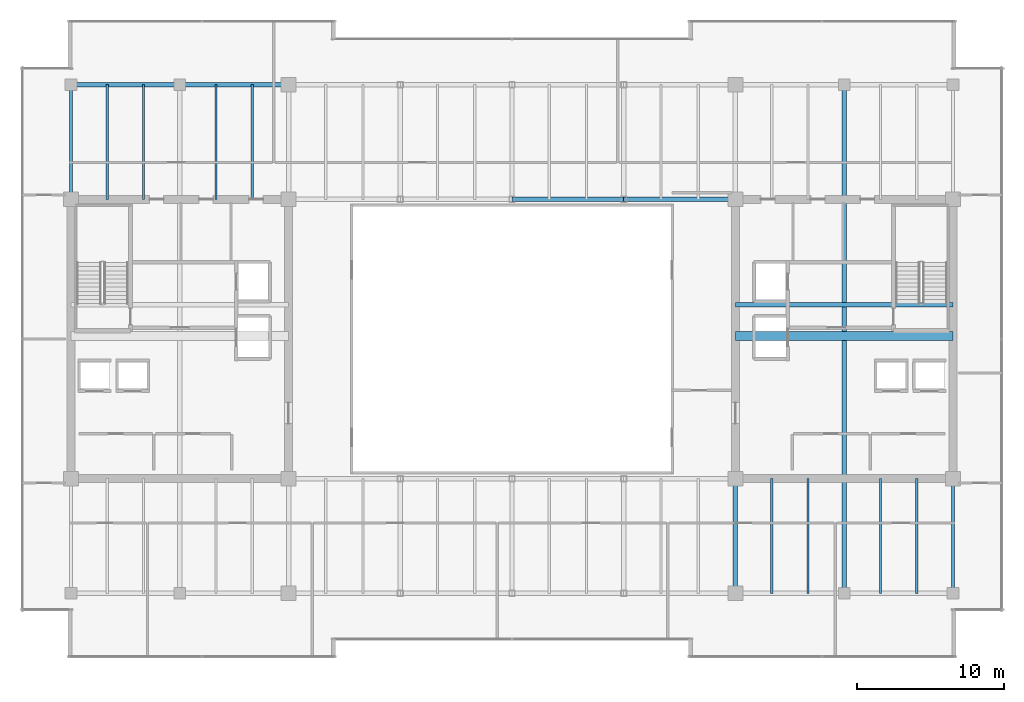
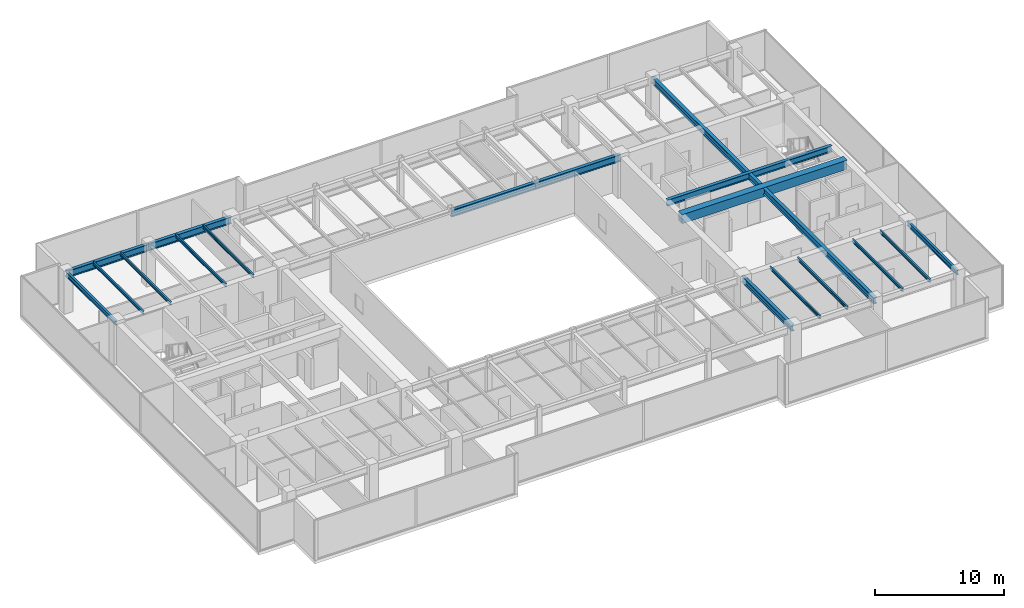
# One storey, part 14 of 33: 18 beams.
"""IFC4 building model written with IfcOpenShell, lengths in metres."""

from ifc_helpers import new_model, si_unit, direction, frame, origin, origin_2d, place, context, subcontext, project, spatial, rectangle, i_section, extrude, source, transform, mapped, material, material_profile, profile_set, type_object, type_shapes, element, save


model = new_model("IFC4")

# Units and contexts
model_context = context("Model", 3, precision=1e-05, world=origin(), true_north=direction((0.0, 1.0)))
body_context = subcontext(model_context, "Body", "Model", "MODEL_VIEW")
ifc_project = project(units=[si_unit("LENGTHUNIT", "METRE"), si_unit("AREAUNIT", "SQUARE_METRE"), si_unit("VOLUMEUNIT", "CUBIC_METRE"), si_unit("PLANEANGLEUNIT", "RADIAN"), si_unit("MASSUNIT", "GRAM", prefix="KILO")], contexts=[model_context])

# Site, building, storey
site_placement = place(None, origin())
site = spatial("IfcSite", under=ifc_project, at=site_placement, CompositionType="ELEMENT")
building_placement = place(site_placement, origin())
building = spatial("IfcBuilding", under=site, at=building_placement, Name="Haelvirn Gate Laboratories", CompositionType="ELEMENT")
storey_placement = place(building_placement, frame((0.0, 0.0, 238.300048828125)))
storey = spatial("IfcBuildingStorey", under=building, at=storey_placement, Name="L57", CompositionType="ELEMENT", Elevation=238.300048828125)

# Beams
ifc_material_1 = material(Name="Steel SM355", Category="steel")
ifc_material_profile_1 = material_profile(ifc_material_1, i_section(OverallWidth=0.300048828125, OverallDepth=0.587890625, WebThickness=0.011962890625, FlangeThickness=0.02001953125, at=origin_2d()), Name="H-588x300x12x20")
ifc_profile_set_1 = profile_set([ifc_material_profile_1], Name="Steel SM355")
beam_type_1 = type_object("IfcBeamType", Name="BM-G-588", PredefinedType="BEAM", material=ifc_profile_set_1)
shared_shape_1 = source(origin(), body_context, "Body", "SweptSolid", [
    extrude(i_section(OverallWidth=0.300048828125, OverallDepth=0.587890625, WebThickness=0.011962890625, FlangeThickness=0.02001953125, at=origin_2d()), origin(), (0.0, 0.0, 1.0), 14.7998046875),
])
beam_1_placement = place(storey_placement, frame((52.60009765625, 26.6201171875, 3.505859375), z_axis=(1.0, 0.0, 0.0), x_axis=(0.0, 1.0, 0.0)))
element("IfcBeam", 1, at=beam_1_placement, inside=storey, type_object=beam_type_1, Name="L57 Stair ST2 Landing Header", PredefinedType="BEAM", context=body_context, shape_type="MappedRepresentation", body=[
    mapped(shared_shape_1, transform((0.0, 0.0, 0.0), scale=1.0)),
])
ifc_material_profile_2 = material_profile(ifc_material_1, i_section(OverallWidth=0.14990234375, OverallDepth=0.300048828125, WebThickness=0.006591796875, FlangeThickness=0.009033203125, at=origin_2d()), Name="H-300x150x6.5x9")
ifc_profile_set_2 = profile_set([ifc_material_profile_2], Name="Steel SM355")
beam_type_2 = type_object("IfcBeamType", Name="BM-J-300", PredefinedType="JOIST", material=ifc_profile_set_2)
shared_shape_2 = source(origin(), body_context, "Body", "SweptSolid", [
    extrude(i_section(OverallWidth=0.14990234375, OverallDepth=0.300048828125, WebThickness=0.006591796875, FlangeThickness=0.009033203125, at=origin_2d()), origin(), (0.0, 0.0, 1.0), 7.800048828125),
])
type_shapes(beam_type_2, [shared_shape_2])
for number, where, z_axis, x_axis, name in (
    (2, (9.8701171875, 33.800048828125, 3.64990234375), (0.0, 1.0, 0.0), (-1.0, 0.0, 0.0), "L57 Composite Lab Joist North X9.87"),
    (3, (12.330078125, 33.800048828125, 3.64990234375), (0.0, 1.0, 0.0), (-1.0, 0.0, 0.0), "L57 Composite Lab Joist North X12.33"),
    (4, (17.27001953125, 33.800048828125, 3.64990234375), (0.0, 1.0, 0.0), (-1.0, 0.0, 0.0), "L57 Composite Lab Joist North X17.27"),
    (5, (19.72998046875, 33.800048828125, 3.64990234375), (0.0, 1.0, 0.0), (-1.0, 0.0, 0.0), "L57 Composite Lab Joist North X19.73"),
    (6, (55.070068359375, 7.0, 3.64990234375), (0.0, 1.0, 0.0), (-1.0, 0.0, 0.0), "L57 Composite Lab Joist South X55.07"),
    (7, (57.530029296875, 7.0, 3.64990234375), (0.0, 1.0, 0.0), (-1.0, 0.0, 0.0), "L57 Composite Lab Joist South X57.53"),
    (8, (62.469970703125, 7.0, 3.64990234375), (0.0, 1.0, 0.0), (-1.0, 0.0, 0.0), "L57 Composite Lab Joist South X62.47"),
    (9, (64.929931640625, 7.0, 3.64990234375), (0.0, 1.0, 0.0), (-1.0, 0.0, 0.0), "L57 Composite Lab Joist South X64.93"),
):
    element("IfcBeam", number, at=place(storey_placement, frame(where, z_axis=z_axis, x_axis=x_axis)), inside=storey, type_object=beam_type_2, Name=name, PredefinedType="JOIST", context=body_context, shape_type="MappedRepresentation", body=[
        mapped(shared_shape_2, transform((0.0, 0.0, 0.0), scale=1.0)),
    ])
shared_shape_3 = source(origin(), body_context, "Body", "SweptSolid", [
    extrude(i_section(OverallWidth=0.300048828125, OverallDepth=0.587890625, WebThickness=0.011962890625, FlangeThickness=0.02001953125, at=origin_2d()), origin(), (0.0, 0.0, 1.0), 34.60009765625),
])
beam_2_placement = place(storey_placement, frame((60.0, 7.0, 3.505859375), z_axis=(0.0, 1.0, 0.0), x_axis=(-1.0, 0.0, 0.0)))
element("IfcBeam", 10, at=beam_2_placement, inside=storey, type_object=beam_type_1, Name="L57 Frame Girder X60.0 (7.0-41.6)", PredefinedType="BEAM", context=body_context, shape_type="MappedRepresentation", body=[
    mapped(shared_shape_3, transform((0.0, 0.0, 0.0), scale=1.0)),
])
shared_shape_4 = source(origin(), body_context, "Body", "SweptSolid", [
    extrude(i_section(OverallWidth=0.300048828125, OverallDepth=0.587890625, WebThickness=0.011962890625, FlangeThickness=0.02001953125, at=origin_2d()), origin(), (0.0, 0.0, 1.0), 7.800048828125),
])
type_shapes(beam_type_1, [shared_shape_1, shared_shape_3, shared_shape_4])
beam_3_placement = place(storey_placement, frame((52.60009765625, 7.0, 3.505859375), z_axis=(0.0, 1.0, 0.0), x_axis=(-1.0, 0.0, 0.0)))
element("IfcBeam", 11, at=beam_3_placement, inside=storey, type_object=beam_type_1, Name="L57 Frame Girder X52.6 (7.0-14.8)", PredefinedType="BEAM", context=body_context, shape_type="MappedRepresentation", body=[
    mapped(shared_shape_4, transform((0.0, 0.0, 0.0), scale=1.0)),
])
ifc_material_2 = material(Name="Concrete C50/60", Category="concrete")
ifc_material_profile_3 = material_profile(ifc_material_2, rectangle(XDim=0.60009765625, YDim=0.85009765625, at=origin_2d()), Name="RCB-600x850")
ifc_profile_set_3 = profile_set([ifc_material_profile_3], Name="Concrete C50/60")
beam_type_3 = type_object("IfcBeamType", Name="BM-RCB-850", PredefinedType="LINTEL", material=ifc_profile_set_3)
shared_shape_5 = source(origin(), body_context, "Body", "SweptSolid", [
    extrude(rectangle(XDim=0.60009765625, YDim=0.85009765625, at=origin_2d()), origin(), (0.0, 0.0, 1.0), 14.7998046875),
])
type_shapes(beam_type_3, [shared_shape_5])
beam_4_placement = place(storey_placement, frame((52.60009765625, 24.5, 3.375), z_axis=(1.0, 0.0, 0.0), x_axis=(0.0, 1.0, 0.0)))
element("IfcBeam", 12, at=beam_4_placement, inside=storey, type_object=beam_type_3, Name="L57 East Core Coupling Beam", PredefinedType="LINTEL", context=body_context, shape_type="MappedRepresentation", body=[
    mapped(shared_shape_5, transform((0.0, 0.0, 0.0), scale=1.0)),
])
ifc_material_profile_4 = material_profile(ifc_material_1, i_section(OverallWidth=0.300048828125, OverallDepth=0.64990234375, WebThickness=0.012939453125, FlangeThickness=0.02197265625, at=origin_2d()), Name="H-650x300x13x22")
ifc_profile_set_4 = profile_set([ifc_material_profile_4], Name="Steel SM355")
beam_type_4 = type_object("IfcBeamType", Name="BM-G-650", PredefinedType="BEAM", material=ifc_profile_set_4)
shared_shape_6 = source(origin(), body_context, "Body", "SweptSolid", [
    extrude(i_section(OverallWidth=0.300048828125, OverallDepth=0.64990234375, WebThickness=0.012939453125, FlangeThickness=0.02197265625, at=origin_2d()), origin(), (0.0, 0.0, 1.0), 7.400146484375),
])
beam_5_placement = place(storey_placement, frame((7.39990234375, 41.60009765625, 3.474853515625), z_axis=(1.0, 0.0, 0.0), x_axis=(0.0, 1.0, 0.0)))
element("IfcBeam", 13, at=beam_5_placement, inside=storey, type_object=beam_type_4, Name="L57 Primary Girder Y41.6 (7.4-14.8)", PredefinedType="BEAM", context=body_context, shape_type="MappedRepresentation", body=[
    mapped(shared_shape_6, transform((0.0, 0.0, 0.0), scale=1.0)),
])
shared_shape_7 = source(origin(), body_context, "Body", "SweptSolid", [
    extrude(i_section(OverallWidth=0.300048828125, OverallDepth=0.64990234375, WebThickness=0.012939453125, FlangeThickness=0.02197265625, at=origin_2d()), origin(), (0.0, 0.0, 1.0), 7.39990234375),
])
beam_6_placement = place(storey_placement, frame((14.800048828125, 41.60009765625, 3.474853515625), z_axis=(1.0, 0.0, 0.0), x_axis=(0.0, 1.0, 0.0)))
element("IfcBeam", 14, at=beam_6_placement, inside=storey, type_object=beam_type_4, Name="L57 Primary Girder Y41.6 (14.8-22.2)", PredefinedType="BEAM", context=body_context, shape_type="MappedRepresentation", body=[
    mapped(shared_shape_7, transform((0.0, 0.0, 0.0), scale=1.0)),
])
shared_shape_8 = source(origin(), body_context, "Body", "SweptSolid", [
    extrude(i_section(OverallWidth=0.300048828125, OverallDepth=0.64990234375, WebThickness=0.012939453125, FlangeThickness=0.02197265625, at=origin_2d()), origin(), (0.0, 0.0, 1.0), 7.60009765625),
])
type_shapes(beam_type_4, [shared_shape_6, shared_shape_7, shared_shape_8])
for number, where, z_axis, x_axis, name in (
    (15, (37.39990234375, 33.800048828125, 3.474853515625), (1.0, 0.0, 0.0), (0.0, 1.0, 0.0), "L57 Primary Girder Y33.8 (37.4-45.0)"),
    (16, (45.0, 33.800048828125, 3.474853515625), (1.0, 0.0, 0.0), (0.0, 1.0, 0.0), "L57 Primary Girder Y33.8 (45.0-52.6)"),
):
    element("IfcBeam", number, at=place(storey_placement, frame(where, z_axis=z_axis, x_axis=x_axis)), inside=storey, type_object=beam_type_4, Name=name, PredefinedType="BEAM", context=body_context, shape_type="MappedRepresentation", body=[
        mapped(shared_shape_8, transform((0.0, 0.0, 0.0), scale=1.0)),
    ])
ifc_material_profile_5 = material_profile(ifc_material_1, i_section(OverallWidth=0.199951171875, OverallDepth=0.449951171875, WebThickness=0.009033203125, FlangeThickness=0.013916015625, at=origin_2d()), Name="H-450x200x9x14")
ifc_profile_set_5 = profile_set([ifc_material_profile_5], Name="Steel SM355")
beam_type_5 = type_object("IfcBeamType", Name="BM-SP-450", PredefinedType="SPANDREL", material=ifc_profile_set_5)
shared_shape_9 = source(origin(), body_context, "Body", "SweptSolid", [
    extrude(i_section(OverallWidth=0.199951171875, OverallDepth=0.449951171875, WebThickness=0.009033203125, FlangeThickness=0.013916015625, at=origin_2d()), origin(), (0.0, 0.0, 1.0), 7.800048828125),
])
type_shapes(beam_type_5, [shared_shape_9])
for number, where, z_axis, x_axis, name in (
    (17, (7.39990234375, 33.800048828125, 3.574951171875), (0.0, 1.0, 0.0), (-1.0, 0.0, 0.0), "L57 Perimeter Spandrel X7.4 (33.8-41.6)"),
    (18, (67.39990234375, 7.0, 3.574951171875), (0.0, 1.0, 0.0), (-1.0, 0.0, 0.0), "L57 Perimeter Spandrel X67.4 (7.0-14.8)"),
):
    element("IfcBeam", number, at=place(storey_placement, frame(where, z_axis=z_axis, x_axis=x_axis)), inside=storey, type_object=beam_type_5, Name=name, PredefinedType="SPANDREL", context=body_context, shape_type="MappedRepresentation", body=[
        mapped(shared_shape_9, transform((0.0, 0.0, 0.0), scale=1.0)),
    ])

save(model, "model.ifc")
